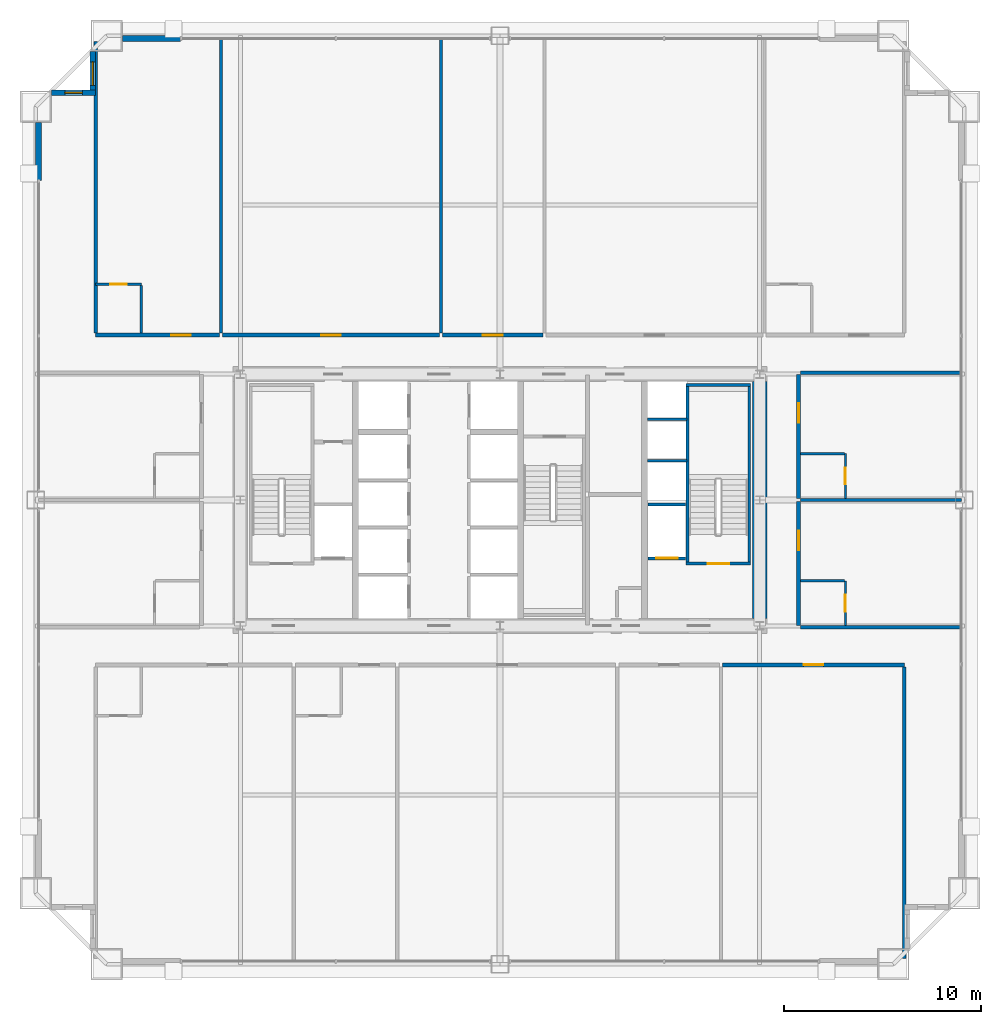
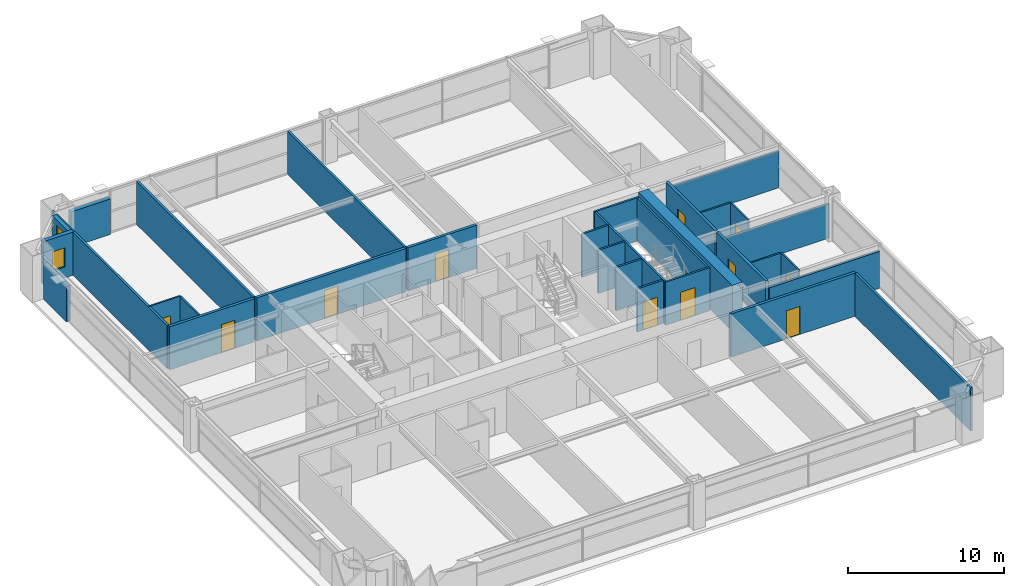
# One storey, part 37 of 39: 32 walls, 11 doors, 2 windows, 13 openings.
"""IFC4 building model written with IfcOpenShell, lengths in metres."""

import ifcopenshell
import ifcopenshell.guid

model = None  # the IFC model being written
_history = None  # IfcOwnerHistory: only IFC2X3 demands one
_inside = {}  # id of a spatial element -> (the spatial element, [elements in it])
_under = {}  # id of a project, library or spatial element -> (it, [spatial elements below it])
_declared = {}  # id of a project -> (the project, [libraries it declares])
_typed = {}  # id of a type object -> (the type object, [elements of that type])
_made_of = {}  # id of a material, layer set ... -> (it, [elements and type objects made of it])


def new_model(schema):
    """Start an empty IFC model of exactly this schema.

    Asked for "IFC4X3", IfcOpenShell would pick the latest addendum, in which some entities
    have other attributes; the version numbers below select the first issue.
    IFC2X3 requires an IfcOwnerHistory on every rooted entity: one is made here for all.
    """
    global model, _history
    if schema == "IFC4X3":
        model = ifcopenshell.file(schema_version=(4, 3, 0, 0))
    else:
        model = ifcopenshell.file(schema=schema)
    _inside.clear()
    _under.clear()
    _declared.clear()
    _typed.clear()
    _made_of.clear()
    _history = None
    if model.schema == "IFC2X3":
        org = make("IfcOrganization", Name="unknown")
        user = make(
            "IfcPersonAndOrganization",
            ThePerson=make("IfcPerson", FamilyName="unknown"),
            TheOrganization=org,
        )
        app = make(
            "IfcApplication",
            ApplicationDeveloper=org,
            Version="unknown",
            ApplicationFullName="unknown",
            ApplicationIdentifier="unknown",
        )
        _history = make(
            "IfcOwnerHistory",
            OwningUser=user,
            OwningApplication=app,
            ChangeAction="ADDED",
            CreationDate=0,
        )
    return model


def make(cls, **values):
    """One entity of the class cls with the attributes given. An attribute that is None is left unset."""
    return model.create_entity(
        cls, **{name: value for name, value in values.items() if value is not None}
    )


def rooted(cls, **values):
    """An entity with a GlobalId (a new one), such as an element, a storey or a relation."""
    return make(cls, GlobalId=ifcopenshell.guid.new(), OwnerHistory=_history, **values)


def si_unit(unit_type, name, prefix=None):
    """IfcSIUnit, for example si_unit("LENGTHUNIT", "METRE", prefix="MILLI")."""
    return make("IfcSIUnit", UnitType=unit_type, Prefix=prefix, Name=name)


def assignment(units):
    """IfcUnitAssignment: the units of a project."""
    return None if units is None else make("IfcUnitAssignment", Units=units)


def point(xyz):
    """IfcCartesianPoint."""
    return None if xyz is None else make("IfcCartesianPoint", Coordinates=xyz)


def direction(xyz):
    """IfcDirection."""
    return None if xyz is None else make("IfcDirection", DirectionRatios=xyz)


def frame(location, z_axis=None, x_axis=None):
    """IfcAxis2Placement3D, a coordinate frame: its origin and axes. An axis left out is left unset."""
    return make(
        "IfcAxis2Placement3D",
        Location=point(location),
        Axis=direction(z_axis),
        RefDirection=direction(x_axis),
    )


def frame_2d(location, x_axis=None):
    """IfcAxis2Placement2D, a coordinate frame in the plane: its origin and x axis."""
    return make(
        "IfcAxis2Placement2D", Location=point(location), RefDirection=direction(x_axis)
    )


def origin():
    """The frame at (0, 0, 0) with its axes left unset."""
    return frame((0.0, 0.0, 0.0))


def place(relative_to, where):
    """IfcLocalPlacement: puts the frame where relative to a parent placement (None: the world)."""
    return make(
        "IfcLocalPlacement", PlacementRelTo=relative_to, RelativePlacement=where
    )


def context(
    kind, dimensions, precision=None, world=None, true_north=None, identifier=None
):
    """IfcGeometricRepresentationContext, for example the 3D "Model" context."""
    return make(
        "IfcGeometricRepresentationContext",
        ContextIdentifier=identifier,
        ContextType=kind,
        CoordinateSpaceDimension=dimensions,
        Precision=precision,
        WorldCoordinateSystem=world,
        TrueNorth=true_north,
    )


def subcontext(parent, identifier, kind, view, scale=None):
    """IfcGeometricRepresentationSubContext, for example "Body" below "Model"."""
    return make(
        "IfcGeometricRepresentationSubContext",
        ContextIdentifier=identifier,
        ContextType=kind,
        ParentContext=parent,
        TargetScale=scale,
        TargetView=view,
    )


def project(units=None, contexts=None):
    """IfcProject with its units and contexts."""
    return rooted(
        "IfcProject",
        Name="project",
        RepresentationContexts=contexts,
        UnitsInContext=assignment(units),
    )


def spatial(cls, under=None, at=None, **own):
    """A site, building, storey or space (cls), placed at a placement, below another one or the project."""
    s = rooted(cls, ObjectPlacement=at, **own)
    if under is not None:
        _under.setdefault(under.id(), (under, []))[1].append(s)
    return s


def profile(cls, at=None, kind="AREA", **sizes):
    """A parametric profile (cls). Its sizes go by their IFC names, for example OverallWidth=200.0."""
    return make(cls, ProfileType=kind, Position=at, **sizes)


def rectangle(**sizes):
    """IfcRectangleProfileDef."""
    return profile("IfcRectangleProfileDef", **sizes)


def extrude(swept, where, along, depth):
    """IfcExtrudedAreaSolid: the profile swept, set in the frame where, extruded along a direction by depth."""
    return make(
        "IfcExtrudedAreaSolid",
        SweptArea=swept,
        Position=where,
        ExtrudedDirection=direction(along),
        Depth=depth,
    )


def shape(context_of_items, identifier, shape_type, items):
    """IfcShapeRepresentation: the items that make up one representation, for example the "Body"."""
    return make(
        "IfcShapeRepresentation",
        ContextOfItems=context_of_items,
        RepresentationIdentifier=identifier,
        RepresentationType=shape_type,
        Items=items,
    )


def source(mapping_origin, context_of_items, identifier, shape_type, items):
    """IfcRepresentationMap: a shape defined once, which mapped items show again and again."""
    return make(
        "IfcRepresentationMap",
        MappingOrigin=mapping_origin,
        MappedRepresentation=shape(context_of_items, identifier, shape_type, items),
    )


def transform(
    local_origin,
    x_axis=None,
    y_axis=None,
    z_axis=None,
    scale=None,
    scale2=None,
    scale3=None,
    uniform=True,
):
    """IfcCartesianTransformationOperator3D, or its non-uniform kind. x_axis, y_axis, z_axis: its Axis1, 2, 3."""
    if uniform:
        return make(
            "IfcCartesianTransformationOperator3D",
            Axis1=direction(x_axis),
            Axis2=direction(y_axis),
            LocalOrigin=point(local_origin),
            Scale=scale,
            Axis3=direction(z_axis),
        )
    return make(
        "IfcCartesianTransformationOperator3DnonUniform",
        Axis1=direction(x_axis),
        Axis2=direction(y_axis),
        LocalOrigin=point(local_origin),
        Scale=scale,
        Axis3=direction(z_axis),
        Scale2=scale2,
        Scale3=scale3,
    )


def mapped(mapping_source, mapping_target):
    """IfcMappedItem: shows the shape of a source again, moved by a transform."""
    return make(
        "IfcMappedItem", MappingSource=mapping_source, MappingTarget=mapping_target
    )


def material(Name=None, Category=None):
    """IfcMaterial."""
    return make("IfcMaterial", Name=Name, Category=Category)


def layer(
    of_material, thickness, ventilated=None, Name=None, Category=None, Priority=None
):
    """IfcMaterialLayer: one layer of a wall or slab, of a material (None: an air gap)."""
    return make(
        "IfcMaterialLayer",
        Material=of_material,
        LayerThickness=thickness,
        IsVentilated=ventilated,
        Name=Name,
        Category=Category,
        Priority=Priority,
    )


def layer_set(layers, Name=None):
    """IfcMaterialLayerSet."""
    return make("IfcMaterialLayerSet", MaterialLayers=layers, LayerSetName=Name)


def made_of(thing, what):
    """Note that an element or type object is made of a material, layer set ...; save() writes the relation."""
    if what is not None:
        _made_of.setdefault(what.id(), (what, []))[1].append(thing)
    return thing


def type_object(cls, material=None, **own):
    """A type object (cls), such as IfcWallType, which elements share."""
    return made_of(rooted(cls, **own), material)


def element(
    cls,
    number,
    at=None,
    inside=None,
    cuts=None,
    type_object=None,
    material=None,
    context=None,
    identifier="Body",
    shape_type=None,
    held_by="IfcProductDefinitionShape",
    body=None,
    shapes=None,
    **own,
):
    """One element of the class cls, such as IfcWall. Its Tag is "e" and its number.

    at: its placement. inside: the storey or other place that contains it. cuts: it is an
    opening in that element (IfcRelVoidsElement). A single representation is given by context,
    identifier, shape_type and body (its items); several are given by shapes. held_by: the class
    of the entity that holds the representations. save() writes the other relations.
    """
    e = rooted(cls, Tag="e%d" % number, ObjectPlacement=at, **own)
    if body is not None:
        shapes = [shape(context, identifier, shape_type, body)]
    if shapes is not None:
        e.Representation = make(held_by, Representations=shapes)
    if inside is not None:
        _inside.setdefault(inside.id(), (inside, []))[1].append(e)
    if cuts is not None:
        rooted(
            "IfcRelVoidsElement", RelatingBuildingElement=cuts, RelatedOpeningElement=e
        )
    if type_object is not None:
        _typed.setdefault(type_object.id(), (type_object, []))[1].append(e)
    return made_of(e, material)


def fill(opening, filler):
    """IfcRelFillsElement: the door or window that sits in an opening."""
    return rooted(
        "IfcRelFillsElement",
        RelatingOpeningElement=opening,
        RelatedBuildingElement=filler,
    )


def aggregate(whole, parts):
    """IfcRelAggregates: a whole, such as a stair, and the parts it consists of."""
    return rooted("IfcRelAggregates", RelatingObject=whole, RelatedObjects=parts)


def save(model, path):
    """Write the relations noted so far, then the file.

    IfcRelAggregates (storeys below a building ...), IfcRelContainedInSpatialStructure (elements
    in a storey), IfcRelDefinesByType, IfcRelAssociatesMaterial and IfcRelDeclares: one each for
    every whole, place, type object, material and project.
    """
    for whole, parts in _under.values():
        aggregate(whole, parts)
    for where, things in _inside.values():
        rooted(
            "IfcRelContainedInSpatialStructure",
            RelatedElements=things,
            RelatingStructure=where,
        )
    for kind, things in _typed.values():
        rooted("IfcRelDefinesByType", RelatedObjects=things, RelatingType=kind)
    for what, things in _made_of.values():
        rooted("IfcRelAssociatesMaterial", RelatedObjects=things, RelatingMaterial=what)
    for by, libraries in _declared.values():
        rooted("IfcRelDeclares", RelatingContext=by, RelatedDefinitions=libraries)
    model.write(path)


model = new_model("IFC4")

# Units and contexts
model_context = context("Model", 3, precision=1e-05, world=origin(), true_north=direction((0.0, 1.0)))
body_context = subcontext(model_context, "Body", "Model", "MODEL_VIEW")
ifc_project = project(units=[si_unit("LENGTHUNIT", "METRE"), si_unit("AREAUNIT", "SQUARE_METRE"), si_unit("VOLUMEUNIT", "CUBIC_METRE"), si_unit("PLANEANGLEUNIT", "RADIAN"), si_unit("MASSUNIT", "GRAM", prefix="KILO"), si_unit("THERMODYNAMICTEMPERATUREUNIT", "KELVIN"), si_unit("POWERUNIT", "WATT")], contexts=[model_context])

# Site, building, storey
site_placement = place(None, origin())
site = spatial("IfcSite", under=ifc_project, at=site_placement, CompositionType="ELEMENT")
building_placement = place(site_placement, origin())
building = spatial("IfcBuilding", under=site, at=building_placement, Name="Yuzanri Waterfront Tower", CompositionType="ELEMENT")
storey_placement = place(building_placement, frame((0.0, 0.0, 141.60009765625)))
storey = spatial("IfcBuildingStorey", under=building, at=storey_placement, Name="L37", CompositionType="ELEMENT", Elevation=141.60009765625)

# Wall, opening, door
ifc_material_1 = material(Name="Moisture-Resistant Gypsum Stud Wall", Category="gypsum")
ifc_layer_1 = layer(ifc_material_1, 0.1201171875)
ifc_layer_set_1 = layer_set([ifc_layer_1], Name="Moisture-Resistant Gypsum Stud Wall")
wall_type_1 = type_object("IfcWallType", Name="Bathroom and Kitchen Wet Partition 120", PredefinedType="PARTITIONING", material=ifc_layer_set_1)
wall_1_placement = place(storey_placement, frame((16.43994140625, 36.760009765625, 0.0), z_axis=(0.0, 0.0, 1.0), x_axis=(1.0, 0.0, 0.0)))
wall_1 = element("IfcWall", 1, at=wall_1_placement, inside=storey, type_object=wall_type_1, Name="L37 Partition UW-L37-N1-BN", PredefinedType="PARTITIONING", context=body_context, shape_type="SweptSolid", body=[
    extrude(rectangle(XDim=2.330078125, YDim=0.1201171875, at=frame_2d((1.1650390625, 0.0))), origin(), (0.0, 0.0, 1.0), 3.3798828125),
])
opening_1_placement = place(wall_1_placement, frame((0.739990234375, 0.0, 0.0)))
opening_1 = element("IfcOpeningElement", 2, at=opening_1_placement, cuts=wall_1, Name="Opening ID-0850", PredefinedType="OPENING", context=body_context, shape_type="SweptSolid", body=[
    extrude(rectangle(XDim=0.85009765625, YDim=2.10009765625, at=frame_2d((0.425048828125, 1.050048828125))), frame((0.0, 0.074951171875, 0.0), z_axis=(0.0, -1.0, 0.0), x_axis=(1.0, 0.0, 0.0)), (0.0, 0.0, 1.0), 0.14990234375),
])
ifc_material_2 = material(Name="Moisture-Resistant Lacquered Timber", Category="wood")
door_type_1 = type_object("IfcDoorType", Name="En-Suite Bathroom and Kitchen Swing Door 850x2100", OperationType="NOTDEFINED", PredefinedType="DOOR", material=ifc_material_2)
shared_shape_1 = source(origin(), body_context, "Body", "SweptSolid", [
    extrude(rectangle(XDim=0.85009765625, YDim=2.10009765625, at=frame_2d((0.425048828125, 1.050048828125))), frame((0.0, 0.02490234375, 0.0), z_axis=(0.0, -1.0, 0.0), x_axis=(1.0, 0.0, 0.0)), (0.0, 0.0, 1.0), 0.050048828125),
])
door_1_placement = place(opening_1_placement, origin())
door_1 = element("IfcDoor", 3, at=door_1_placement, inside=storey, type_object=door_type_1, Name="L37 Guest En-Suite Door", OperationType="SINGLE_SWING_LEFT", OverallHeight=2.10009765625, OverallWidth=0.85009765625, PredefinedType="DOOR", context=body_context, shape_type="MappedRepresentation", body=[
    mapped(shared_shape_1, transform((0.0, 0.0, 0.0), scale=1.0)),
])
fill(opening_1, door_1)

wall_2_placement = place(storey_placement, frame((54.56005859375, 19.409912109375, 0.0), z_axis=(0.0, 0.0, 1.0), x_axis=(0.0, 1.0, 0.0)))
wall_2 = element("IfcWall", 4, at=wall_2_placement, inside=storey, type_object=wall_type_1, Name="L37 Partition UW-L37-E1-BE2", PredefinedType="PARTITIONING", context=body_context, shape_type="SweptSolid", body=[
    extrude(rectangle(XDim=2.280029296875, YDim=0.1201171875, at=frame_2d((1.14013671875, 0.0))), origin(), (0.0, 0.0, 1.0), 3.3798828125),
])
opening_2_placement = place(wall_2_placement, frame((0.715087890625, 0.0, 0.0)))
opening_2 = element("IfcOpeningElement", 5, at=opening_2_placement, cuts=wall_2, Name="Opening ID-0850", PredefinedType="OPENING", context=body_context, shape_type="SweptSolid", body=[
    extrude(rectangle(XDim=0.85009765625, YDim=2.10009765625, at=frame_2d((0.425048828125, 1.050048828125))), frame((0.0, 0.074951171875, 0.0), z_axis=(0.0, -1.0, 0.0), x_axis=(1.0, 0.0, 0.0)), (0.0, 0.0, 1.0), 0.14990234375),
])
door_2_placement = place(opening_2_placement, origin())
door_2 = element("IfcDoor", 6, at=door_2_placement, inside=storey, type_object=door_type_1, Name="L37 Guest En-Suite Door", OperationType="SINGLE_SWING_RIGHT", OverallHeight=2.10009765625, OverallWidth=0.85009765625, PredefinedType="DOOR", context=body_context, shape_type="MappedRepresentation", body=[
    mapped(shared_shape_1, transform((0.0, 0.0, 0.0), scale=1.0)),
])
fill(opening_2, door_2)

wall_3_placement = place(storey_placement, frame((54.56005859375, 25.8798828125, 0.0), z_axis=(0.0, 0.0, 1.0), x_axis=(0.0, 1.0, 0.0)))
wall_3 = element("IfcWall", 7, at=wall_3_placement, inside=storey, type_object=wall_type_1, Name="L37 Partition UW-L37-E2-BE2", PredefinedType="PARTITIONING", context=body_context, shape_type="SweptSolid", body=[
    extrude(rectangle(XDim=2.280029296875, YDim=0.1201171875, at=frame_2d((1.14013671875, 0.0))), origin(), (0.0, 0.0, 1.0), 3.3798828125),
])
opening_3_placement = place(wall_3_placement, frame((0.715087890625, 0.0, 0.0)))
opening_3 = element("IfcOpeningElement", 8, at=opening_3_placement, cuts=wall_3, Name="Opening ID-0850", PredefinedType="OPENING", context=body_context, shape_type="SweptSolid", body=[
    extrude(rectangle(XDim=0.85009765625, YDim=2.10009765625, at=frame_2d((0.425048828125, 1.050048828125))), frame((0.0, 0.074951171875, 0.0), z_axis=(0.0, -1.0, 0.0), x_axis=(1.0, 0.0, 0.0)), (0.0, 0.0, 1.0), 0.14990234375),
])
door_3_placement = place(opening_3_placement, origin())
door_3 = element("IfcDoor", 9, at=door_3_placement, inside=storey, type_object=door_type_1, Name="L37 Guest En-Suite Door", OperationType="SINGLE_SWING_RIGHT", OverallHeight=2.10009765625, OverallWidth=0.85009765625, PredefinedType="DOOR", context=body_context, shape_type="MappedRepresentation", body=[
    mapped(shared_shape_1, transform((0.0, 0.0, 0.0), scale=1.0)),
])
fill(opening_3, door_3)

# Wall, opening, window
ifc_material_3 = material(Name="Honed Chongqing Dark Basalt Stone", Category="masonry")
ifc_layer_2 = layer(ifc_material_3, 0.300048828125)
ifc_layer_set_2 = layer_set([ifc_layer_2], Name="Honed Chongqing Dark Basalt Stone")
wall_type_2 = type_object("IfcWallType", Name="Bronze Rainscreen Insulated Spandrel Portal Wall 300", PredefinedType="SOLIDWALL", material=ifc_layer_set_2)
wall_4_placement = place(storey_placement, frame((16.449951171875, 46.5, 0.0), z_axis=(0.0, 0.0, 1.0), x_axis=(-1.0, 0.0, 0.0)))
wall_4 = element("IfcWall", 10, at=wall_4_placement, inside=storey, type_object=wall_type_2, Name="L37 Notched Corner Masonry Wall NW-X", PredefinedType="SOLIDWALL", context=body_context, shape_type="SweptSolid", body=[
    extrude(rectangle(XDim=2.25, YDim=0.300048828125, at=frame_2d((1.125, 0.0))), origin(), (0.0, 0.0, 1.0), 3.3798828125),
])
opening_4_placement = place(wall_4_placement, frame((0.675048828125, 0.0, 0.85009765625)))
opening_4 = element("IfcOpeningElement", 11, at=opening_4_placement, cuts=wall_4, Name="Opening WN-05", PredefinedType="OPENING", context=body_context, shape_type="SweptSolid", body=[
    extrude(rectangle(XDim=0.89990234375, YDim=1.5, at=frame_2d((0.449951171875, 0.75))), frame((0.0, 0.1650390625, 0.0), z_axis=(0.0, -1.0, 0.0), x_axis=(1.0, 0.0, 0.0)), (0.0, 0.0, 1.0), 0.329833984375),
])
ifc_material_4 = material(Name="Double-Silver Low-E Insulated Glass", Category="glass")
window_type_1 = type_object("IfcWindowType", Name="Anodized Bronze Service and Stairwell Smoke-Vent Window 900x1500", PartitioningType="SINGLE_PANEL", PredefinedType="WINDOW", material=ifc_material_4)
shared_shape_2 = source(origin(), body_context, "Body", "SweptSolid", [
    extrude(rectangle(XDim=0.89990234375, YDim=1.5, at=frame_2d((0.449951171875, 0.75))), frame((0.0, 0.030029296875, 0.0), z_axis=(0.0, -1.0, 0.0), x_axis=(1.0, 0.0, 0.0)), (0.0, 0.0, 1.0), 0.06005859375),
])
window_1_placement = place(opening_4_placement, origin())
window_1 = element("IfcWindow", 12, at=window_1_placement, inside=storey, type_object=window_type_1, Name="L37 Notched Corner Window NW-X", OverallHeight=1.5, OverallWidth=0.89990234375, PartitioningType="SINGLE_PANEL", PredefinedType="WINDOW", context=body_context, shape_type="MappedRepresentation", body=[
    mapped(shared_shape_2, transform((0.0, 0.0, 0.0), scale=1.0)),
])
fill(opening_4, window_1)

wall_5_placement = place(storey_placement, frame((16.300048828125, 48.60009765625, 0.0), z_axis=(0.0, 0.0, 1.0), x_axis=(0.0, -1.0, 0.0)))
wall_5 = element("IfcWall", 13, at=wall_5_placement, inside=storey, type_object=wall_type_2, Name="L37 Notched Corner Masonry Wall NW-Y", PredefinedType="SOLIDWALL", context=body_context, shape_type="SweptSolid", body=[
    extrude(rectangle(XDim=2.25, YDim=0.300048828125, at=frame_2d((1.125, 0.0))), origin(), (0.0, 0.0, 1.0), 3.3798828125),
])
opening_5_placement = place(wall_5_placement, frame((0.52490234375, 0.0, 0.85009765625)))
opening_5 = element("IfcOpeningElement", 14, at=opening_5_placement, cuts=wall_5, Name="Opening WN-02", PredefinedType="OPENING", context=body_context, shape_type="SweptSolid", body=[
    extrude(rectangle(XDim=1.199951171875, YDim=2.10009765625, at=frame_2d((0.60009765625, 1.050048828125))), frame((0.0, 0.1650390625, 0.0), z_axis=(0.0, -1.0, 0.0), x_axis=(1.0, 0.0, 0.0)), (0.0, 0.0, 1.0), 0.329833984375),
])
ifc_material_5 = material(Name="Double-Silver Low-E Insulated Glass", Category="glass")
window_type_2 = type_object("IfcWindowType", Name="Anodized Bronze Notched Corner Deep-Set Slot Window 1200x2100", PartitioningType="SINGLE_PANEL", PredefinedType="WINDOW", material=ifc_material_5)
shared_shape_3 = source(origin(), body_context, "Body", "SweptSolid", [
    extrude(rectangle(XDim=1.199951171875, YDim=2.10009765625, at=frame_2d((0.60009765625, 1.050048828125))), frame((0.0, 0.030029296875, 0.0), z_axis=(0.0, -1.0, 0.0), x_axis=(1.0, 0.0, 0.0)), (0.0, 0.0, 1.0), 0.06005859375),
])
window_2_placement = place(opening_5_placement, origin())
window_2 = element("IfcWindow", 15, at=window_2_placement, inside=storey, type_object=window_type_2, Name="L37 Notched Corner Window NW-Y", OverallHeight=2.10009765625, OverallWidth=1.199951171875, PartitioningType="SINGLE_PANEL", PredefinedType="WINDOW", context=body_context, shape_type="MappedRepresentation", body=[
    mapped(shared_shape_3, transform((0.0, 0.0, 0.0), scale=1.0)),
])
fill(opening_5, window_2)

# Wall, opening, door
ifc_material_6 = material(Name="Concrete C40", Category="concrete")
ifc_layer_3 = layer(ifc_material_6, 0.139892578125)
ifc_layer_set_3 = layer_set([ifc_layer_3], Name="Concrete C40")
wall_type_3 = type_object("IfcWallType", Name="Core Stair Liner and Hoistway Shaft Wall 140", PredefinedType="SOLIDWALL", material=ifc_layer_set_3)
wall_6_placement = place(storey_placement, frame((44.52001953125, 22.830078125, 0.0), z_axis=(0.0, 0.0, 1.0), x_axis=(1.0, 0.0, 0.0)))
wall_6 = element("IfcWall", 16, at=wall_6_placement, inside=storey, type_object=wall_type_3, Name="L37 Lift FL-02 Front Shaft Wall", PredefinedType="SOLIDWALL", context=body_context, shape_type="SweptSolid", body=[
    extrude(rectangle(XDim=1.919921875, YDim=0.139892578125, at=frame_2d((0.9599609375, 0.0))), origin(), (0.0, 0.0, 1.0), 3.3798828125),
])
opening_6_placement = place(wall_6_placement, frame((0.409912109375, 0.0, 0.0)))
opening_6 = element("IfcOpeningElement", 17, at=opening_6_placement, cuts=wall_6, Name="Opening LD-FL-02", PredefinedType="OPENING", context=body_context, shape_type="SweptSolid", body=[
    extrude(rectangle(XDim=1.10009765625, YDim=2.199951171875, at=frame_2d((0.550048828125, 1.10009765625))), frame((0.0, 0.0849609375, 0.0), z_axis=(0.0, -1.0, 0.0), x_axis=(1.0, 0.0, 0.0)), (0.0, 0.0, 1.0), 0.169677734375),
])
ifc_material_7 = material(Name="Brushed Bronze and Stainless Steel Cab", Category="steel")
door_type_2 = type_object("IfcDoorType", Name="Center-Parting Bronze Lift Landing Sliding Door 1100x2200", OperationType="NOTDEFINED", PredefinedType="DOOR", material=ifc_material_7)
shared_shape_4 = source(origin(), body_context, "Body", "SweptSolid", [
    extrude(rectangle(XDim=1.10009765625, YDim=2.199951171875, at=frame_2d((0.550048828125, 1.10009765625))), frame((0.0, 0.02490234375, 0.0), z_axis=(0.0, -1.0, 0.0), x_axis=(1.0, 0.0, 0.0)), (0.0, 0.0, 1.0), 0.050048828125),
])
door_4_placement = place(opening_6_placement, origin())
door_4 = element("IfcDoor", 18, at=door_4_placement, inside=storey, type_object=door_type_2, Name="L37 FL-02 Lift Landing Sliding Door", OperationType="SLIDING_TO_RIGHT", OverallHeight=2.199951171875, OverallWidth=1.10009765625, PredefinedType="DOOR", context=body_context, shape_type="MappedRepresentation", body=[
    mapped(shared_shape_4, transform((0.0, 0.0, 0.0), scale=1.0)),
])
fill(opening_6, door_4)

wall_7_placement = place(storey_placement, frame((46.4599609375, 22.570068359375, 0.0), z_axis=(0.0, 0.0, 1.0), x_axis=(1.0, 0.0, 0.0)))
wall_7 = element("IfcWall", 19, at=wall_7_placement, inside=storey, type_object=wall_type_3, Name="L37 Shaft Wall STW-L37-ST-02-S", PredefinedType="SOLIDWALL", context=body_context, shape_type="SweptSolid", body=[
    extrude(rectangle(XDim=3.280029296875, YDim=0.139892578125, at=frame_2d((1.64013671875, 0.0))), origin(), (0.0, 0.0, 1.0), 3.3798828125),
])
opening_7_placement = place(wall_7_placement, frame((1.090087890625, 0.0, 0.0)))
opening_7 = element("IfcOpeningElement", 20, at=opening_7_placement, cuts=wall_7, Name="Opening FD-1100", PredefinedType="OPENING", context=body_context, shape_type="SweptSolid", body=[
    extrude(rectangle(XDim=1.10009765625, YDim=2.199951171875, at=frame_2d((0.550048828125, 1.10009765625))), frame((0.0, 0.0849609375, 0.0), z_axis=(0.0, -1.0, 0.0), x_axis=(1.0, 0.0, 0.0)), (0.0, 0.0, 1.0), 0.169677734375),
])
ifc_material_8 = material(Name="Painted Galvanized Fire Steel", Category="steel")
door_type_3 = type_object("IfcDoorType", Name="Smoke-Proof Stair and Lobby Fire Door 1100x2200", OperationType="NOTDEFINED", PredefinedType="DOOR", material=ifc_material_8)
shared_shape_5 = source(origin(), body_context, "Body", "SweptSolid", [
    extrude(rectangle(XDim=1.10009765625, YDim=2.199951171875, at=frame_2d((0.550048828125, 1.10009765625))), frame((0.0, 0.02490234375, 0.0), z_axis=(0.0, -1.0, 0.0), x_axis=(1.0, 0.0, 0.0)), (0.0, 0.0, 1.0), 0.050048828125),
])
door_5_placement = place(opening_7_placement, origin())
door_5 = element("IfcDoor", 21, at=door_5_placement, inside=storey, type_object=door_type_3, Name="L37 Stair ST-02 Fire Door", OperationType="SINGLE_SWING_LEFT", OverallHeight=2.199951171875, OverallWidth=1.10009765625, PredefinedType="DOOR", context=body_context, shape_type="MappedRepresentation", body=[
    mapped(shared_shape_5, transform((0.0, 0.0, 0.0), scale=1.0)),
])
fill(opening_7, door_5)

ifc_material_9 = material(Name="Autoclaved Aerated Concrete Blockwork", Category="masonry")
ifc_layer_4 = layer(ifc_material_9, 0.199951171875)
ifc_layer_set_4 = layer_set([ifc_layer_4], Name="Autoclaved Aerated Concrete Blockwork")
wall_type_4 = type_object("IfcWallType", Name="Corridor and Unit Party Fire Wall 200", PredefinedType="PARTITIONING", material=ifc_layer_set_4)
wall_8_placement = place(storey_placement, frame((48.305908203125, 17.419921875, 0.0), z_axis=(0.0, 0.0, 1.0), x_axis=(1.0, 0.0, 0.0)))
wall_8 = element("IfcWall", 22, at=wall_8_placement, inside=storey, type_object=wall_type_4, Name="L37 Partition UW-L37-S5-CN", PredefinedType="PARTITIONING", context=body_context, shape_type="SweptSolid", body=[
    extrude(rectangle(XDim=9.254150390625, YDim=0.199951171875, at=frame_2d((4.626953125, 0.0))), origin(), (0.0, 0.0, 1.0), 3.3798828125),
])
opening_8_placement = place(wall_8_placement, frame((4.126953125, 0.0, 0.0)))
opening_8 = element("IfcOpeningElement", 23, at=opening_8_placement, cuts=wall_8, Name="Opening FD-1000", PredefinedType="OPENING", context=body_context, shape_type="SweptSolid", body=[
    extrude(rectangle(XDim=1.0, YDim=2.199951171875, at=frame_2d((0.5, 1.10009765625))), frame((0.0, 0.11474609375, 0.0), z_axis=(0.0, -1.0, 0.0), x_axis=(1.0, 0.0, 0.0)), (0.0, 0.0, 1.0), 0.229736328125),
])
ifc_material_10 = material(Name="Engineered Oak Fire-Rated Timber", Category="wood")
door_type_4 = type_object("IfcDoorType", Name="Guestroom and Apartment Entrance Fire Door 1000x2200", OperationType="NOTDEFINED", PredefinedType="DOOR", material=ifc_material_10)
shared_shape_6 = source(origin(), body_context, "Body", "SweptSolid", [
    extrude(rectangle(XDim=1.0, YDim=2.199951171875, at=frame_2d((0.5, 1.10009765625))), frame((0.0, 0.02490234375, 0.0), z_axis=(0.0, -1.0, 0.0), x_axis=(1.0, 0.0, 0.0)), (0.0, 0.0, 1.0), 0.050048828125),
])
door_6_placement = place(opening_8_placement, origin())
door_6 = element("IfcDoor", 24, at=door_6_placement, inside=storey, type_object=door_type_4, Name="L37 Spin Gym Studio Entrance Door", OperationType="SINGLE_SWING_LEFT", OverallHeight=2.199951171875, OverallWidth=1.0, PredefinedType="DOOR", context=body_context, shape_type="MappedRepresentation", body=[
    mapped(shared_shape_6, transform((0.0, 0.0, 0.0), scale=1.0)),
])
fill(opening_8, door_6)

wall_9_placement = place(storey_placement, frame((16.43994140625, 34.179931640625, 0.0), z_axis=(0.0, 0.0, 1.0), x_axis=(1.0, 0.0, 0.0)))
wall_9 = element("IfcWall", 25, at=wall_9_placement, inside=storey, type_object=wall_type_4, Name="L37 Partition UW-L37-N1-CS", PredefinedType="PARTITIONING", context=body_context, shape_type="SweptSolid", body=[
    extrude(rectangle(XDim=6.2939453125, YDim=0.199951171875, at=frame_2d((3.14697265625, 0.0))), origin(), (0.0, 0.0, 1.0), 3.3798828125),
])
opening_9_placement = place(wall_9_placement, frame((3.85205078125, 0.0, 0.0)))
opening_9 = element("IfcOpeningElement", 26, at=opening_9_placement, cuts=wall_9, Name="Opening FD-1000", PredefinedType="OPENING", context=body_context, shape_type="SweptSolid", body=[
    extrude(rectangle(XDim=1.0, YDim=2.199951171875, at=frame_2d((0.5, 1.10009765625))), frame((0.0, 0.11474609375, 0.0), z_axis=(0.0, -1.0, 0.0), x_axis=(1.0, 0.0, 0.0)), (0.0, 0.0, 1.0), 0.229736328125),
])
door_7_placement = place(opening_9_placement, origin())
door_7 = element("IfcDoor", 27, at=door_7_placement, inside=storey, type_object=door_type_4, Name="L37 Cityview Suite Entrance Door", OperationType="SINGLE_SWING_RIGHT", OverallHeight=2.199951171875, OverallWidth=1.0, PredefinedType="DOOR", context=body_context, shape_type="MappedRepresentation", body=[
    mapped(shared_shape_6, transform((0.0, 0.0, 0.0), scale=1.0)),
])
fill(opening_9, door_7)

wall_10_placement = place(storey_placement, frame((22.89404296875, 34.179931640625, 0.0), z_axis=(0.0, 0.0, 1.0), x_axis=(1.0, 0.0, 0.0)))
wall_10 = element("IfcWall", 28, at=wall_10_placement, inside=storey, type_object=wall_type_4, Name="L37 Partition UW-L37-N2-CS", PredefinedType="PARTITIONING", context=body_context, shape_type="SweptSolid", body=[
    extrude(rectangle(XDim=11.02392578125, YDim=0.199951171875, at=frame_2d((5.511962890625, 0.0))), origin(), (0.0, 0.0, 1.0), 3.3798828125),
])
opening_10_placement = place(wall_10_placement, frame((5.011962890625, 0.0, 0.0)))
opening_10 = element("IfcOpeningElement", 29, at=opening_10_placement, cuts=wall_10, Name="Opening FD-1000", PredefinedType="OPENING", context=body_context, shape_type="SweptSolid", body=[
    extrude(rectangle(XDim=1.0, YDim=2.199951171875, at=frame_2d((0.5, 1.10009765625))), frame((0.0, 0.11474609375, 0.0), z_axis=(0.0, -1.0, 0.0), x_axis=(1.0, 0.0, 0.0)), (0.0, 0.0, 1.0), 0.229736328125),
])
door_8_placement = place(opening_10_placement, origin())
door_8 = element("IfcDoor", 30, at=door_8_placement, inside=storey, type_object=door_type_4, Name="L37 Meeting Room 1 Entrance Door", OperationType="SINGLE_SWING_RIGHT", OverallHeight=2.199951171875, OverallWidth=1.0, PredefinedType="DOOR", context=body_context, shape_type="MappedRepresentation", body=[
    mapped(shared_shape_6, transform((0.0, 0.0, 0.0), scale=1.0)),
])
fill(opening_10, door_8)

wall_11_placement = place(storey_placement, frame((34.077880859375, 34.179931640625, 0.0), z_axis=(0.0, 0.0, 1.0), x_axis=(1.0, 0.0, 0.0)))
wall_11 = element("IfcWall", 31, at=wall_11_placement, inside=storey, type_object=wall_type_4, Name="L37 Partition UW-L37-N3-CS", PredefinedType="PARTITIONING", context=body_context, shape_type="SweptSolid", body=[
    extrude(rectangle(XDim=5.10400390625, YDim=0.199951171875, at=frame_2d((2.552001953125, 0.0))), origin(), (0.0, 0.0, 1.0), 3.3798828125),
])
opening_11_placement = place(wall_11_placement, frame((2.052001953125, 0.0, 0.0)))
opening_11 = element("IfcOpeningElement", 32, at=opening_11_placement, cuts=wall_11, Name="Opening FD-1000", PredefinedType="OPENING", context=body_context, shape_type="SweptSolid", body=[
    extrude(rectangle(XDim=1.0, YDim=2.199951171875, at=frame_2d((0.5, 1.10009765625))), frame((0.0, 0.11474609375, 0.0), z_axis=(0.0, -1.0, 0.0), x_axis=(1.0, 0.0, 0.0)), (0.0, 0.0, 1.0), 0.229736328125),
])
door_9_placement = place(opening_11_placement, origin())
door_9 = element("IfcDoor", 33, at=door_9_placement, inside=storey, type_object=door_type_4, Name="L37 Meeting Room 2 Entrance Door", OperationType="SINGLE_SWING_LEFT", OverallHeight=2.199951171875, OverallWidth=1.0, PredefinedType="DOOR", context=body_context, shape_type="MappedRepresentation", body=[
    mapped(shared_shape_6, transform((0.0, 0.0, 0.0), scale=1.0)),
])
fill(opening_11, door_9)

wall_12_placement = place(storey_placement, frame((52.179931640625, 19.409912109375, 0.0), z_axis=(0.0, 0.0, 1.0), x_axis=(0.0, 1.0, 0.0)))
wall_12 = element("IfcWall", 34, at=wall_12_placement, inside=storey, type_object=wall_type_4, Name="L37 Partition UW-L37-E1-CW", PredefinedType="PARTITIONING", context=body_context, shape_type="SweptSolid", body=[
    extrude(rectangle(XDim=6.31005859375, YDim=0.199951171875, at=frame_2d((3.155029296875, 0.0))), origin(), (0.0, 0.0, 1.0), 3.3798828125),
])
opening_12_placement = place(wall_12_placement, frame((3.8349609375, 0.0, 0.0)))
opening_12 = element("IfcOpeningElement", 35, at=opening_12_placement, cuts=wall_12, Name="Opening FD-1000", PredefinedType="OPENING", context=body_context, shape_type="SweptSolid", body=[
    extrude(rectangle(XDim=1.0, YDim=2.199951171875, at=frame_2d((0.5, 1.10009765625))), frame((0.0, 0.11474609375, 0.0), z_axis=(0.0, -1.0, 0.0), x_axis=(1.0, 0.0, 0.0)), (0.0, 0.0, 1.0), 0.229736328125),
])
door_10_placement = place(opening_12_placement, origin())
door_10 = element("IfcDoor", 36, at=door_10_placement, inside=storey, type_object=door_type_4, Name="L37 East Guest Room Entrance Door", OperationType="SINGLE_SWING_LEFT", OverallHeight=2.199951171875, OverallWidth=1.0, PredefinedType="DOOR", context=body_context, shape_type="MappedRepresentation", body=[
    mapped(shared_shape_6, transform((0.0, 0.0, 0.0), scale=1.0)),
])
fill(opening_12, door_10)

wall_13_placement = place(storey_placement, frame((52.179931640625, 25.8798828125, 0.0), z_axis=(0.0, 0.0, 1.0), x_axis=(0.0, 1.0, 0.0)))
wall_13 = element("IfcWall", 37, at=wall_13_placement, inside=storey, type_object=wall_type_4, Name="L37 Partition UW-L37-E2-CW", PredefinedType="PARTITIONING", context=body_context, shape_type="SweptSolid", body=[
    extrude(rectangle(XDim=6.31005859375, YDim=0.199951171875, at=frame_2d((3.155029296875, 0.0))), origin(), (0.0, 0.0, 1.0), 3.3798828125),
])
opening_13_placement = place(wall_13_placement, frame((3.8349609375, 0.0, 0.0)))
opening_13 = element("IfcOpeningElement", 38, at=opening_13_placement, cuts=wall_13, Name="Opening FD-1000", PredefinedType="OPENING", context=body_context, shape_type="SweptSolid", body=[
    extrude(rectangle(XDim=1.0, YDim=2.199951171875, at=frame_2d((0.5, 1.10009765625))), frame((0.0, 0.11474609375, 0.0), z_axis=(0.0, -1.0, 0.0), x_axis=(1.0, 0.0, 0.0)), (0.0, 0.0, 1.0), 0.229736328125),
])
door_11_placement = place(opening_13_placement, origin())
door_11 = element("IfcDoor", 39, at=door_11_placement, inside=storey, type_object=door_type_4, Name="L37 East Guest Room Entrance Door", OperationType="SINGLE_SWING_LEFT", OverallHeight=2.199951171875, OverallWidth=1.0, PredefinedType="DOOR", context=body_context, shape_type="MappedRepresentation", body=[
    mapped(shared_shape_6, transform((0.0, 0.0, 0.0), scale=1.0)),
])
fill(opening_13, door_11)

# Walls
ifc_material_11 = material(Name="Concrete C55", Category="concrete")
ifc_layer_5 = layer(ifc_material_11, 0.75)
ifc_layer_set_5 = layer_set([ifc_layer_5], Name="Concrete C55")
wall_type_5 = type_object("IfcWallType", Name="Concrete C55 Low-Mid Zone Core Shear Wall 750", PredefinedType="SHEAR", material=ifc_layer_set_5)
shared_shape_7 = source(origin(), body_context, "Body", "SweptSolid", [
    extrude(rectangle(XDim=12.050048828125, YDim=0.75, at=frame_2d((6.02490234375, 0.0))), origin(), (0.0, 0.0, 1.0), 3.599853515625),
])
wall_14_placement = place(storey_placement, frame((50.199951171875, 19.77490234375, 0.0), z_axis=(0.0, 0.0, 1.0), x_axis=(0.0, 1.0, 0.0)))
element("IfcWall", 40, at=wall_14_placement, inside=storey, type_object=wall_type_5, Name="L37 Core East Shear Wall", PredefinedType="SHEAR", context=body_context, shape_type="MappedRepresentation", body=[
    mapped(shared_shape_7, transform((0.0, 0.0, 0.0), scale=1.0)),
])
shared_shape_8 = source(origin(), body_context, "Body", "SweptSolid", [
    extrude(rectangle(XDim=2.949951171875, YDim=0.300048828125, at=frame_2d((1.47509765625, 0.0))), origin(), (0.0, 0.0, 1.0), 2.77490234375),
])
for number, where, z_axis, x_axis, name in (
    (41, (17.800048828125, 49.25, 0.0), (0.0, 0.0, 1.0), (1.0, 0.0, 0.0), "L37 N Left Braced Masonry Shoulder"),
    (42, (13.550048828125, 42.050048828125, 0.0), (0.0, 0.0, 1.0), (0.0, 1.0, 0.0), "L37 W Right Braced Masonry Shoulder"),
):
    element("IfcWall", number, at=place(storey_placement, frame(where, z_axis=z_axis, x_axis=x_axis)), inside=storey, type_object=wall_type_2, Name=name, PredefinedType="SOLIDWALL", context=body_context, shape_type="MappedRepresentation", body=[
        mapped(shared_shape_8, transform((0.0, 0.0, 0.0), scale=1.0)),
    ])
shared_shape_9 = source(origin(), body_context, "Body", "SweptSolid", [
    extrude(rectangle(XDim=1.919921875, YDim=0.139892578125, at=frame_2d((0.9599609375, 0.0))), origin(), (0.0, 0.0, 1.0), 3.3798828125),
])
wall_15_placement = place(storey_placement, frame((44.52001953125, 25.570068359375, 0.0), z_axis=(0.0, 0.0, 1.0), x_axis=(1.0, 0.0, 0.0)))
element("IfcWall", 43, at=wall_15_placement, inside=storey, type_object=wall_type_3, Name="L37 Lift FL-02 Back Shaft Wall", PredefinedType="SOLIDWALL", context=body_context, shape_type="MappedRepresentation", body=[
    mapped(shared_shape_9, transform((0.0, 0.0, 0.0), scale=1.0)),
])
shared_shape_10 = source(origin(), body_context, "Body", "SweptSolid", [
    extrude(rectangle(XDim=2.0, YDim=0.139892578125, at=frame_2d((1.0, 0.0))), origin(), (0.0, 0.0, 1.0), 3.3798828125),
])
for number, where, z_axis, x_axis, name in (
    (44, (44.5, 27.800048828125, 0.0), (0.0, 0.0, 1.0), (1.0, 0.0, 0.0), "L37 Lift PL-09 Divider Wall"),
    (45, (44.5, 29.89990234375, 0.0), (0.0, 0.0, 1.0), (1.0, 0.0, 0.0), "L37 Lift PL-10 Divider Wall"),
):
    element("IfcWall", number, at=place(storey_placement, frame(where, z_axis=z_axis, x_axis=x_axis)), inside=storey, type_object=wall_type_3, Name=name, PredefinedType="SOLIDWALL", context=body_context, shape_type="MappedRepresentation", body=[
        mapped(shared_shape_10, transform((0.0, 0.0, 0.0), scale=1.0)),
    ])
shared_shape_11 = source(origin(), body_context, "Body", "SweptSolid", [
    extrude(rectangle(XDim=3.280029296875, YDim=0.139892578125, at=frame_2d((1.64013671875, 0.0))), origin(), (0.0, 0.0, 1.0), 3.3798828125),
])
wall_16_placement = place(storey_placement, frame((46.4599609375, 31.64990234375, 0.0), z_axis=(0.0, 0.0, 1.0), x_axis=(1.0, 0.0, 0.0)))
element("IfcWall", 46, at=wall_16_placement, inside=storey, type_object=wall_type_3, Name="L37 Stair ST-02 North Shaft Wall", PredefinedType="SOLIDWALL", context=body_context, shape_type="MappedRepresentation", body=[
    mapped(shared_shape_11, transform((0.0, 0.0, 0.0), scale=1.0)),
])
shared_shape_12 = source(origin(), body_context, "Body", "SweptSolid", [
    extrude(rectangle(XDim=8.940185546875, YDim=0.139892578125, at=frame_2d((4.47021484375, 0.0))), origin(), (0.0, 0.0, 1.0), 3.3798828125),
])
for number, where, z_axis, x_axis, name in (
    (47, (46.530029296875, 22.639892578125, 0.0), (0.0, 0.0, 1.0), (0.0, 1.0, 0.0), "L37 Stair ST-02 West Shaft Wall"),
    (48, (49.669921875, 22.639892578125, 0.0), (0.0, 0.0, 1.0), (0.0, 1.0, 0.0), "L37 Stair ST-02 East Shaft Wall"),
):
    element("IfcWall", number, at=place(storey_placement, frame(where, z_axis=z_axis, x_axis=x_axis)), inside=storey, type_object=wall_type_3, Name=name, PredefinedType="SOLIDWALL", context=body_context, shape_type="MappedRepresentation", body=[
        mapped(shared_shape_12, transform((0.0, 0.0, 0.0), scale=1.0)),
    ])
shared_shape_13 = source(origin(), body_context, "Body", "SweptSolid", [
    extrude(rectangle(XDim=2.419921875, YDim=0.1201171875, at=frame_2d((1.2099609375, 0.0))), origin(), (0.0, 0.0, 1.0), 3.3798828125),
])
wall_17_placement = place(storey_placement, frame((18.77001953125, 34.280029296875, 0.0), z_axis=(0.0, 0.0, 1.0), x_axis=(0.0, 1.0, 0.0)))
element("IfcWall", 49, at=wall_17_placement, inside=storey, type_object=wall_type_1, Name="L37-N1 En-Suite Side Wall", PredefinedType="PARTITIONING", context=body_context, shape_type="MappedRepresentation", body=[
    mapped(shared_shape_13, transform((0.0, 0.0, 0.0), scale=1.0)),
])
shared_shape_14 = source(origin(), body_context, "Body", "SweptSolid", [
    extrude(rectangle(XDim=2.219970703125, YDim=0.1201171875, at=frame_2d((1.10986328125, 0.0))), origin(), (0.0, 0.0, 1.0), 3.3798828125),
])
for number, where, z_axis, x_axis, name in (
    (50, (52.280029296875, 21.68994140625, 0.0), (0.0, 0.0, 1.0), (1.0, 0.0, 0.0), "L37-E1 En-Suite Top Wall"),
    (51, (52.280029296875, 28.159912109375, 0.0), (0.0, 0.0, 1.0), (1.0, 0.0, 0.0), "L37-E2 En-Suite Top Wall"),
):
    element("IfcWall", number, at=place(storey_placement, frame(where, z_axis=z_axis, x_axis=x_axis)), inside=storey, type_object=wall_type_1, Name=name, PredefinedType="PARTITIONING", context=body_context, shape_type="MappedRepresentation", body=[
        mapped(shared_shape_14, transform((0.0, 0.0, 0.0), scale=1.0)),
    ])
ifc_material_12 = material(Name="Gypsum Fireboard Acoustic Stud Wall", Category="gypsum")
ifc_layer_6 = layer(ifc_material_12, 0.159912109375)
ifc_layer_set_6 = layer_set([ifc_layer_6], Name="Gypsum Fireboard Acoustic Stud Wall")
wall_type_6 = type_object("IfcWallType", Name="Acoustic Suite Demising Partition 160", PredefinedType="PARTITIONING", material=ifc_layer_set_6)
shared_shape_15 = source(origin(), body_context, "Body", "SweptSolid", [
    extrude(rectangle(XDim=8.169921875, YDim=0.159912109375, at=frame_2d((4.0849609375, 0.0))), origin(), (0.0, 0.0, 1.0), 2.875),
])
for number, where, z_axis, x_axis, name in (
    (52, (52.280029296875, 19.330078125, 0.0), (0.0, 0.0, 1.0), (1.0, 0.0, 0.0), "L37-E1 Wing South End Wall"),
    (53, (52.280029296875, 32.27001953125, 0.0), (0.0, 0.0, 1.0), (1.0, 0.0, 0.0), "L37-E2 Wing North End Wall"),
):
    element("IfcWall", number, at=place(storey_placement, frame(where, z_axis=z_axis, x_axis=x_axis)), inside=storey, type_object=wall_type_6, Name=name, PredefinedType="PARTITIONING", context=body_context, shape_type="MappedRepresentation", body=[
        mapped(shared_shape_15, transform((0.0, 0.0, 0.0), scale=1.0)),
    ])
shared_shape_16 = source(origin(), body_context, "Body", "SweptSolid", [
    extrude(rectangle(XDim=14.969970703125, YDim=0.159912109375, at=frame_2d((7.48486328125, 0.0))), origin(), (0.0, 0.0, 1.0), 3.3798828125),
])
for number, where, z_axis, x_axis, name in (
    (54, (22.81396484375, 34.280029296875, 0.0), (0.0, 0.0, 1.0), (0.0, 1.0, 0.0), "L37-N1 Party Wall"),
    (55, (33.998046875, 34.280029296875, 0.0), (0.0, 0.0, 1.0), (0.0, 1.0, 0.0), "L37-N2 Party Wall"),
):
    element("IfcWall", number, at=place(storey_placement, frame(where, z_axis=z_axis, x_axis=x_axis)), inside=storey, type_object=wall_type_6, Name=name, PredefinedType="PARTITIONING", context=body_context, shape_type="MappedRepresentation", body=[
        mapped(shared_shape_16, transform((0.0, 0.0, 0.0), scale=1.0)),
    ])
shared_shape_17 = source(origin(), body_context, "Body", "SweptSolid", [
    extrude(rectangle(XDim=14.820068359375, YDim=0.159912109375, at=frame_2d((7.41015625, 0.0))), origin(), (0.0, 0.0, 1.0), 3.3798828125),
])
for number, where, z_axis, x_axis, name in (
    (56, (57.550048828125, 2.5, 0.0), (0.0, 0.0, 1.0), (0.0, 1.0, 0.0), "L37 South Band East End Wall"),
    (57, (16.449951171875, 34.280029296875, 0.0), (0.0, 0.0, 1.0), (0.0, 1.0, 0.0), "L37 North Band West End Wall"),
):
    element("IfcWall", number, at=place(storey_placement, frame(where, z_axis=z_axis, x_axis=x_axis)), inside=storey, type_object=wall_type_6, Name=name, PredefinedType="PARTITIONING", context=body_context, shape_type="MappedRepresentation", body=[
        mapped(shared_shape_17, transform((0.0, 0.0, 0.0), scale=1.0)),
    ])
shared_shape_18 = source(origin(), body_context, "Body", "SweptSolid", [
    extrude(rectangle(XDim=8.169921875, YDim=0.159912109375, at=frame_2d((4.0849609375, 0.0))), origin(), (0.0, 0.0, 1.0), 2.6748046875),
])
wall_18_placement = place(storey_placement, frame((52.280029296875, 25.800048828125, 0.0), z_axis=(0.0, 0.0, 1.0), x_axis=(1.0, 0.0, 0.0)))
element("IfcWall", 58, at=wall_18_placement, inside=storey, type_object=wall_type_6, Name="L37-E1 Wing Party Wall", PredefinedType="PARTITIONING", context=body_context, shape_type="MappedRepresentation", body=[
    mapped(shared_shape_18, transform((0.0, 0.0, 0.0), scale=1.0)),
])

save(model, "model.ifc")
